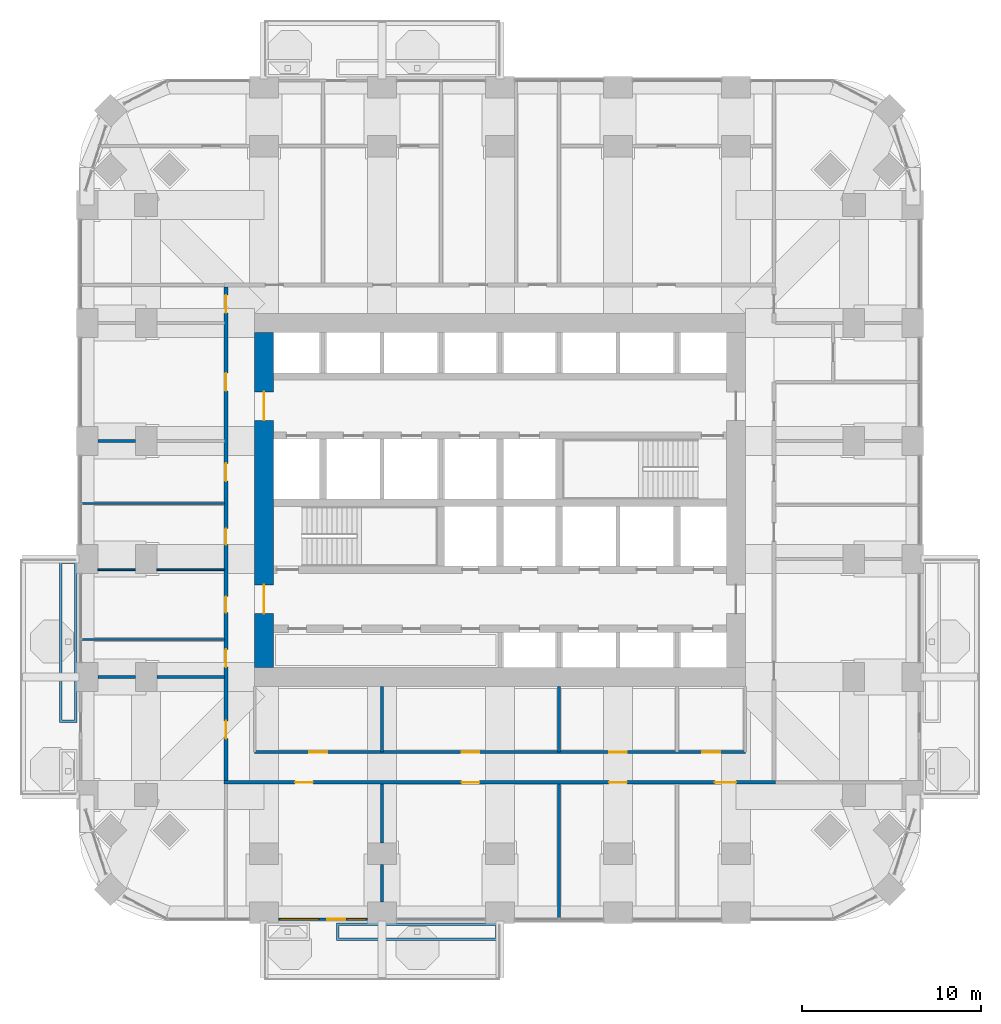
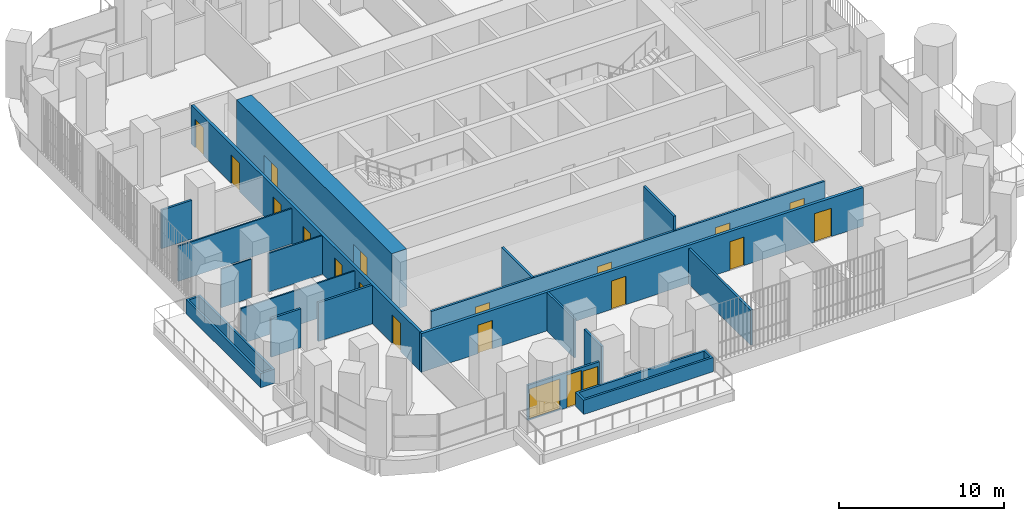
# One storey, part 13 of 21: 19 walls, 18 doors, 2 windows, 20 openings.
"""IFC4 building model written with IfcOpenShell, lengths in metres."""

from ifc_helpers import new_model, si_unit, direction, frame, frame_2d, origin, place, context, subcontext, project, spatial, polyline, rectangle, outline, extrude, material, layer, layer_set, type_object, element, fill, save


model = new_model("IFC4")

# Units and contexts
model_context = context("Model", 3, precision=1e-05, world=origin(), true_north=direction((0.0, 1.0)))
body_context = subcontext(model_context, "Body", "Model", "MODEL_VIEW")
ifc_project = project(units=[si_unit("LENGTHUNIT", "METRE"), si_unit("AREAUNIT", "SQUARE_METRE"), si_unit("VOLUMEUNIT", "CUBIC_METRE"), si_unit("PLANEANGLEUNIT", "RADIAN"), si_unit("MASSUNIT", "GRAM", prefix="KILO")], contexts=[model_context])

# Site, building, storey
site_placement = place(None, origin())
site = spatial("IfcSite", under=ifc_project, at=site_placement, CompositionType="ELEMENT")
building_placement = place(site_placement, origin())
building = spatial("IfcBuilding", under=site, at=building_placement, Name="Cobogo Forest Laboratory Tower", CompositionType="ELEMENT")
storey_placement = place(building_placement, frame((0.0, 0.0, 141.0)))
storey = spatial("IfcBuildingStorey", under=building, at=storey_placement, Name="L32", CompositionType="ELEMENT", Elevation=141.0)

# Wall, openings, doors
ifc_material_1 = material(Name="Concrete HA-50 (C50/60)", Category="concrete")
ifc_layer_1 = layer(ifc_material_1, 1.050048828125)
ifc_layer_set_1 = layer_set([ifc_layer_1], Name="CW1050 core outer wall 1050")
wall_type_1 = type_object("IfcWallType", Name="CW1050 core outer wall 1050", PredefinedType="SHEAR", material=ifc_layer_set_1)
wall_1_placement = place(storey_placement, frame((13.199951171875, 32.47509765625, 0.0), z_axis=(0.0, 0.0, 1.0), x_axis=(0.0, -1.0, 0.0)))
wall_1 = element("IfcWall", 1, at=wall_1_placement, inside=storey, type_object=wall_type_1, Name="Core wall CO-W L32", PredefinedType="SHEAR", context=body_context, shape_type="SweptSolid", body=[
    extrude(rectangle(XDim=18.75, YDim=1.050048828125, at=frame_2d((9.375, 0.0))), origin(), (0.0, 0.0, 1.0), 4.199951171875),
])
opening_1_placement = place(wall_1_placement, frame((14.125, 0.0, 0.0)))
opening_1 = element("IfcOpeningElement", 2, at=opening_1_placement, cuts=wall_1, Name="Opening L32-D20", PredefinedType="OPENING", context=body_context, shape_type="SweptSolid", body=[
    extrude(rectangle(XDim=1.60009765625, YDim=2.10009765625, at=frame_2d((0.800048828125, 1.050048828125))), frame((0.0, 0.534912109375, 0.0), z_axis=(0.0, -1.0, 0.0), x_axis=(1.0, 0.0, 0.0)), (0.0, 0.0, 1.0), 1.070068359375),
])
opening_2_placement = place(wall_1_placement, frame((3.324951171875, 0.0, 0.0)))
opening_2 = element("IfcOpeningElement", 3, at=opening_2_placement, cuts=wall_1, Name="Opening L32-D31", PredefinedType="OPENING", context=body_context, shape_type="SweptSolid", body=[
    extrude(rectangle(XDim=1.60009765625, YDim=2.10009765625, at=frame_2d((0.800048828125, 1.050048828125))), frame((0.0, 0.534912109375, 0.0), z_axis=(0.0, -1.0, 0.0), x_axis=(1.0, 0.0, 0.0)), (0.0, 0.0, 1.0), 1.070068359375),
])
ifc_material_2 = material(Name="Steel fire door", Category="steel")
door_type_1 = type_object("IfcDoorType", Name="DS2 protected lobby door pair 1600 EI2 60", OperationType="DOUBLE_DOOR_DOUBLE_SWING", PredefinedType="DOOR", material=ifc_material_2)
door_1_placement = place(opening_1_placement, origin())
door_1 = element("IfcDoor", 4, at=door_1_placement, inside=storey, type_object=door_type_1, Name="Door L32-CO-W-S", OperationType="DOUBLE_DOOR_DOUBLE_SWING", OverallHeight=2.10009765625, OverallWidth=1.60009765625, PredefinedType="DOOR", context=body_context, shape_type="SweptSolid", body=[
    extrude(rectangle(XDim=1.60009765625, YDim=2.10009765625, at=frame_2d((0.800048828125, 1.050048828125))), frame((0.0, 0.02490234375, 0.0), z_axis=(0.0, -1.0, 0.0), x_axis=(1.0, 0.0, 0.0)), (0.0, 0.0, 1.0), 0.050048828125),
])
fill(opening_1, door_1)
door_2_placement = place(opening_2_placement, origin())
door_2 = element("IfcDoor", 5, at=door_2_placement, inside=storey, type_object=door_type_1, Name="Door L32-CO-W-N", OperationType="DOUBLE_DOOR_DOUBLE_SWING", OverallHeight=2.10009765625, OverallWidth=1.60009765625, PredefinedType="DOOR", context=body_context, shape_type="SweptSolid", body=[
    extrude(rectangle(XDim=1.60009765625, YDim=2.10009765625, at=frame_2d((0.800048828125, 1.050048828125))), frame((0.0, 0.02490234375, 0.0), z_axis=(0.0, -1.0, 0.0), x_axis=(1.0, 0.0, 0.0)), (0.0, 0.0, 1.0), 0.050048828125),
])
fill(opening_2, door_2)

# Wall, openings, door, windows
ifc_material_3 = material(Name="Aluminium framed glazed screen", Category="aluminium")
ifc_layer_2 = layer(ifc_material_3, 0.14990234375)
ifc_layer_set_2 = layer_set([ifc_layer_2], Name="GS1 glazed door screen 150")
wall_type_2 = type_object("IfcWallType", Name="GS1 glazed door screen 150", PredefinedType="SOLIDWALL", material=ifc_layer_set_2)
wall_2_placement = place(storey_placement, frame((14.0, -0.35009765625, 0.0), z_axis=(0.0, 0.0, 1.0), x_axis=(1.0, 0.0, 0.0)))
wall_2 = element("IfcWall", 6, at=wall_2_placement, inside=storey, type_object=wall_type_2, Name="Door screen BAL-S1 L32", PredefinedType="SOLIDWALL", context=body_context, shape_type="SweptSolid", body=[
    extrude(rectangle(XDim=5.0, YDim=0.14990234375, at=frame_2d((2.5, 0.0))), origin(), (0.0, 0.0, 1.0), 2.60009765625),
])
opening_3_placement = place(wall_2_placement, frame((2.75, 0.0, 0.0)))
opening_3 = element("IfcOpeningElement", 7, at=opening_3_placement, cuts=wall_2, Name="Opening L32-D01", PredefinedType="OPENING", context=body_context, shape_type="SweptSolid", body=[
    extrude(rectangle(XDim=1.0, YDim=2.39990234375, at=frame_2d((0.5, 1.199951171875))), frame((0.0, 0.0849609375, 0.0), z_axis=(0.0, -1.0, 0.0), x_axis=(1.0, 0.0, 0.0)), (0.0, 0.0, 1.0), 0.169921875),
])
opening_4_placement = place(wall_2_placement, frame((0.10009765625, 0.0, 0.10009765625)))
opening_4 = element("IfcOpeningElement", 8, at=opening_4_placement, cuts=wall_2, Name="Opening L32-W01", PredefinedType="OPENING", context=body_context, shape_type="SweptSolid", body=[
    extrude(rectangle(XDim=2.14990234375, YDim=2.199951171875, at=frame_2d((1.074951171875, 1.10009765625))), frame((0.0, 0.0849609375, 0.0), z_axis=(0.0, -1.0, 0.0), x_axis=(1.0, 0.0, 0.0)), (0.0, 0.0, 1.0), 0.169921875),
])
opening_5_placement = place(wall_2_placement, frame((3.85009765625, 0.0, 0.10009765625)))
opening_5 = element("IfcOpeningElement", 9, at=opening_5_placement, cuts=wall_2, Name="Opening L32-W02", PredefinedType="OPENING", context=body_context, shape_type="SweptSolid", body=[
    extrude(rectangle(XDim=1.050048828125, YDim=2.199951171875, at=frame_2d((0.52490234375, 1.10009765625))), frame((0.0, 0.0849609375, 0.0), z_axis=(0.0, -1.0, 0.0), x_axis=(1.0, 0.0, 0.0)), (0.0, 0.0, 1.0), 0.169921875),
])
ifc_material_4 = material(Name="Aluminium glazed door", Category="aluminium")
door_type_2 = type_object("IfcDoorType", Name="DB1 balcony door 1000 glazed", OperationType="SINGLE_SWING_LEFT", PredefinedType="DOOR", material=ifc_material_4)
door_3_placement = place(opening_3_placement, origin())
door_3 = element("IfcDoor", 10, at=door_3_placement, inside=storey, type_object=door_type_2, Name="Door L32-BAL-S1", OperationType="SINGLE_SWING_RIGHT", OverallHeight=2.39990234375, OverallWidth=1.0, PredefinedType="DOOR", context=body_context, shape_type="SweptSolid", body=[
    extrude(rectangle(XDim=1.0, YDim=2.39990234375, at=frame_2d((0.5, 1.199951171875))), frame((0.0, 0.02490234375, 0.0), z_axis=(0.0, -1.0, 0.0), x_axis=(1.0, 0.0, 0.0)), (0.0, 0.0, 1.0), 0.050048828125),
])
fill(opening_3, door_3)
ifc_material_5 = material(Name="Aluminium framed glazing", Category="aluminium")
window_type_1 = type_object("IfcWindowType", Name="WG17 fixed glazed light 2150x2200", PartitioningType="SINGLE_PANEL", PredefinedType="WINDOW", material=ifc_material_5)
window_1_placement = place(opening_4_placement, origin())
window_1 = element("IfcWindow", 11, at=window_1_placement, inside=storey, type_object=window_type_1, Name="Window L32-BAL-S1-1", OverallHeight=2.199951171875, OverallWidth=2.14990234375, PartitioningType="SINGLE_PANEL", PredefinedType="WINDOW", context=body_context, shape_type="SweptSolid", body=[
    extrude(rectangle(XDim=2.14990234375, YDim=2.199951171875, at=frame_2d((1.074951171875, 1.10009765625))), frame((0.0, 0.030029296875, 0.0), z_axis=(0.0, -1.0, 0.0), x_axis=(1.0, 0.0, 0.0)), (0.0, 0.0, 1.0), 0.06005859375),
])
fill(opening_4, window_1)
window_type_2 = type_object("IfcWindowType", Name="WG18 fixed glazed light 1050x2200", PartitioningType="SINGLE_PANEL", PredefinedType="WINDOW", material=ifc_material_5)
window_2_placement = place(opening_5_placement, origin())
window_2 = element("IfcWindow", 12, at=window_2_placement, inside=storey, type_object=window_type_2, Name="Window L32-BAL-S1-2", OverallHeight=2.199951171875, OverallWidth=1.050048828125, PartitioningType="SINGLE_PANEL", PredefinedType="WINDOW", context=body_context, shape_type="SweptSolid", body=[
    extrude(rectangle(XDim=1.050048828125, YDim=2.199951171875, at=frame_2d((0.52490234375, 1.10009765625))), frame((0.0, 0.030029296875, 0.0), z_axis=(0.0, -1.0, 0.0), x_axis=(1.0, 0.0, 0.0)), (0.0, 0.0, 1.0), 0.06005859375),
])
fill(opening_5, window_2)

# Wall, openings, doors
ifc_material_6 = material(Name="Gypsum board on steel studs", Category="steel")
ifc_layer_3 = layer(ifc_material_6, 0.14990234375)
ifc_layer_set_3 = layer_set([ifc_layer_3], Name="PT1 laboratory partition 150")
wall_type_3 = type_object("IfcWallType", Name="PT1 laboratory partition 150", PredefinedType="PARTITIONING", material=ifc_layer_set_3)
wall_3_placement = place(storey_placement, frame((12.675048828125, 9.0, 0.0), z_axis=(0.0, 0.0, 1.0), x_axis=(1.0, 0.0, 0.0)))
wall_3 = element("IfcWall", 13, at=wall_3_placement, inside=storey, type_object=wall_type_3, Name="Partition CSTRIP-S L32", PredefinedType="PARTITIONING", context=body_context, shape_type="SweptSolid", body=[
    extrude(rectangle(XDim=27.449951171875, YDim=0.14990234375, at=frame_2d((13.72509765625, 0.0))), origin(), (0.0, 0.0, 1.0), 2.85009765625),
])
opening_6_placement = place(wall_3_placement, frame((3.0625, 0.0, 0.0)))
opening_6 = element("IfcOpeningElement", 14, at=opening_6_placement, cuts=wall_3, Name="Opening L32-D06", PredefinedType="OPENING", context=body_context, shape_type="SweptSolid", body=[
    extrude(rectangle(XDim=1.0, YDim=2.10009765625, at=frame_2d((0.5, 1.050048828125))), frame((0.0, 0.0849609375, 0.0), z_axis=(0.0, -1.0, 0.0), x_axis=(1.0, 0.0, 0.0)), (0.0, 0.0, 1.0), 0.169921875),
])
opening_7_placement = place(wall_3_placement, frame((11.574951171875, 0.0, 0.0)))
opening_7 = element("IfcOpeningElement", 15, at=opening_7_placement, cuts=wall_3, Name="Opening L32-D07", PredefinedType="OPENING", context=body_context, shape_type="SweptSolid", body=[
    extrude(rectangle(XDim=1.0, YDim=2.10009765625, at=frame_2d((0.5, 1.050048828125))), frame((0.0, 0.0849609375, 0.0), z_axis=(0.0, -1.0, 0.0), x_axis=(1.0, 0.0, 0.0)), (0.0, 0.0, 1.0), 0.169921875),
])
opening_8_placement = place(wall_3_placement, frame((19.824951171875, 0.0, 0.0)))
opening_8 = element("IfcOpeningElement", 16, at=opening_8_placement, cuts=wall_3, Name="Opening L32-D08", PredefinedType="OPENING", context=body_context, shape_type="SweptSolid", body=[
    extrude(rectangle(XDim=1.0, YDim=2.10009765625, at=frame_2d((0.5, 1.050048828125))), frame((0.0, 0.0849609375, 0.0), z_axis=(0.0, -1.0, 0.0), x_axis=(1.0, 0.0, 0.0)), (0.0, 0.0, 1.0), 0.169921875),
])
opening_9_placement = place(wall_3_placement, frame((25.03759765625, 0.0, 0.0)))
opening_9 = element("IfcOpeningElement", 17, at=opening_9_placement, cuts=wall_3, Name="Opening L32-D09", PredefinedType="OPENING", context=body_context, shape_type="SweptSolid", body=[
    extrude(rectangle(XDim=1.0, YDim=2.10009765625, at=frame_2d((0.5, 1.050048828125))), frame((0.0, 0.0849609375, 0.0), z_axis=(0.0, -1.0, 0.0), x_axis=(1.0, 0.0, 0.0)), (0.0, 0.0, 1.0), 0.169921875),
])
ifc_material_7 = material(Name="Timber fire door", Category="wood")
door_type_3 = type_object("IfcDoorType", Name="FD2 fire door 1000 EI2 30", OperationType="SINGLE_SWING_LEFT", PredefinedType="DOOR", material=ifc_material_7)
door_4_placement = place(opening_6_placement, origin())
door_4 = element("IfcDoor", 18, at=door_4_placement, inside=storey, type_object=door_type_3, Name="Door L32-CSS1", OperationType="SINGLE_SWING_LEFT", OverallHeight=2.10009765625, OverallWidth=1.0, PredefinedType="DOOR", context=body_context, shape_type="SweptSolid", body=[
    extrude(rectangle(XDim=1.0, YDim=2.10009765625, at=frame_2d((0.5, 1.050048828125))), frame((0.0, 0.02490234375, 0.0), z_axis=(0.0, -1.0, 0.0), x_axis=(1.0, 0.0, 0.0)), (0.0, 0.0, 1.0), 0.050048828125),
])
fill(opening_6, door_4)
door_5_placement = place(opening_7_placement, origin())
door_5 = element("IfcDoor", 19, at=door_5_placement, inside=storey, type_object=door_type_3, Name="Door L32-CSS2", OperationType="SINGLE_SWING_LEFT", OverallHeight=2.10009765625, OverallWidth=1.0, PredefinedType="DOOR", context=body_context, shape_type="SweptSolid", body=[
    extrude(rectangle(XDim=1.0, YDim=2.10009765625, at=frame_2d((0.5, 1.050048828125))), frame((0.0, 0.02490234375, 0.0), z_axis=(0.0, -1.0, 0.0), x_axis=(1.0, 0.0, 0.0)), (0.0, 0.0, 1.0), 0.050048828125),
])
fill(opening_7, door_5)
door_6_placement = place(opening_8_placement, origin())
door_6 = element("IfcDoor", 20, at=door_6_placement, inside=storey, type_object=door_type_3, Name="Door L32-CSS3", OperationType="SINGLE_SWING_RIGHT", OverallHeight=2.10009765625, OverallWidth=1.0, PredefinedType="DOOR", context=body_context, shape_type="SweptSolid", body=[
    extrude(rectangle(XDim=1.0, YDim=2.10009765625, at=frame_2d((0.5, 1.050048828125))), frame((0.0, 0.02490234375, 0.0), z_axis=(0.0, -1.0, 0.0), x_axis=(1.0, 0.0, 0.0)), (0.0, 0.0, 1.0), 0.050048828125),
])
fill(opening_8, door_6)
door_7_placement = place(opening_9_placement, origin())
door_7 = element("IfcDoor", 21, at=door_7_placement, inside=storey, type_object=door_type_3, Name="Door L32-CSS4", OperationType="SINGLE_SWING_RIGHT", OverallHeight=2.10009765625, OverallWidth=1.0, PredefinedType="DOOR", context=body_context, shape_type="SweptSolid", body=[
    extrude(rectangle(XDim=1.0, YDim=2.10009765625, at=frame_2d((0.5, 1.050048828125))), frame((0.0, 0.02490234375, 0.0), z_axis=(0.0, -1.0, 0.0), x_axis=(1.0, 0.0, 0.0)), (0.0, 0.0, 1.0), 0.050048828125),
])
fill(opening_9, door_7)

# Walls
wall_4_placement = place(storey_placement, frame((19.800048828125, 12.675048828125, 0.0), z_axis=(0.0, 0.0, 1.0), x_axis=(0.0, -1.0, 0.0)))
element("IfcWall", 22, at=wall_4_placement, inside=storey, type_object=wall_type_3, Name="Partition CSTRIP-S19.8 L32", PredefinedType="PARTITIONING", context=body_context, shape_type="SweptSolid", body=[
    extrude(rectangle(XDim=3.675048828125, YDim=0.14990234375, at=frame_2d((1.83740234375, 0.0))), origin(), (0.0, 0.0, 1.0), 2.85009765625),
])
wall_5_placement = place(storey_placement, frame((29.699951171875, 12.675048828125, 0.0), z_axis=(0.0, 0.0, 1.0), x_axis=(0.0, -1.0, 0.0)))
element("IfcWall", 23, at=wall_5_placement, inside=storey, type_object=wall_type_3, Name="Partition CSTRIP-S29.7 L32", PredefinedType="PARTITIONING", context=body_context, shape_type="SweptSolid", body=[
    extrude(rectangle(XDim=3.675048828125, YDim=0.14990234375, at=frame_2d((1.83740234375, 0.0))), origin(), (0.0, 0.0, 1.0), 3.89990234375),
])
wall_6_placement = place(storey_placement, frame((19.800048828125, 0.60009765625, 0.0), z_axis=(0.0, 0.0, 1.0), x_axis=(0.0, 1.0, 0.0)))
element("IfcWall", 24, at=wall_6_placement, inside=storey, type_object=wall_type_3, Name="Partition CUT-S19.8-1 L32", PredefinedType="PARTITIONING", context=body_context, shape_type="SweptSolid", body=[
    extrude(rectangle(XDim=2.099853515625, YDim=0.14990234375, at=frame_2d((1.0498046875, 0.0))), origin(), (0.0, 0.0, 1.0), 2.85009765625),
])
wall_7_placement = place(storey_placement, frame((19.800048828125, 3.89990234375, 0.0), z_axis=(0.0, 0.0, 1.0), x_axis=(0.0, 1.0, 0.0)))
element("IfcWall", 25, at=wall_7_placement, inside=storey, type_object=wall_type_3, Name="Partition CUT-S19.8-2 L32", PredefinedType="PARTITIONING", context=body_context, shape_type="SweptSolid", body=[
    extrude(rectangle(XDim=3.300048828125, YDim=0.14990234375, at=frame_2d((1.64990234375, 0.0))), origin(), (0.0, 0.0, 1.0), 2.85009765625),
])
wall_8_placement = place(storey_placement, frame((29.699951171875, -0.27001953125, 0.0), z_axis=(0.0, 0.0, 1.0), x_axis=(0.0, 1.0, 0.0)))
element("IfcWall", 26, at=wall_8_placement, inside=storey, type_object=wall_type_3, Name="Partition CUT-S29.7-1 L32", PredefinedType="PARTITIONING", context=body_context, shape_type="SweptSolid", body=[
    extrude(rectangle(XDim=7.469970703125, YDim=0.14990234375, at=frame_2d((3.73486328125, 0.0))), origin(), (0.0, 0.0, 1.0), 2.60009765625),
])
wall_9_placement = place(storey_placement, frame((3.89990234375, 13.199951171875, 0.0), z_axis=(0.0, 0.0, 1.0), x_axis=(1.0, 0.0, 0.0)))
element("IfcWall", 27, at=wall_9_placement, inside=storey, type_object=wall_type_3, Name="Partition CUT-W13.2-1 L32", PredefinedType="PARTITIONING", context=body_context, shape_type="SweptSolid", body=[
    extrude(rectangle(XDim=2.10009765625, YDim=0.14990234375, at=frame_2d((1.050048828125, 0.0))), origin(), (0.0, 0.0, 1.0), 2.85009765625),
])
wall_10_placement = place(storey_placement, frame((7.199951171875, 13.199951171875, 0.0), z_axis=(0.0, 0.0, 1.0), x_axis=(1.0, 0.0, 0.0)))
element("IfcWall", 28, at=wall_10_placement, inside=storey, type_object=wall_type_3, Name="Partition CUT-W13.2-2 L32", PredefinedType="PARTITIONING", context=body_context, shape_type="SweptSolid", body=[
    extrude(rectangle(XDim=3.775146484375, YDim=0.14990234375, at=frame_2d((1.8876953125, 0.0))), origin(), (0.0, 0.0, 1.0), 2.85009765625),
])
wall_11_placement = place(storey_placement, frame((3.89990234375, 26.39990234375, 0.0), z_axis=(0.0, 0.0, 1.0), x_axis=(1.0, 0.0, 0.0)))
element("IfcWall", 29, at=wall_11_placement, inside=storey, type_object=wall_type_3, Name="Partition CUT-W26.4-1 L32", PredefinedType="PARTITIONING", context=body_context, shape_type="SweptSolid", body=[
    extrude(rectangle(XDim=2.10009765625, YDim=0.14990234375, at=frame_2d((1.050048828125, 0.0))), origin(), (0.0, 0.0, 1.0), 2.85009765625),
])

# Wall, openings, doors
ifc_layer_4 = layer(ifc_material_6, 0.199951171875)
ifc_layer_set_4 = layer_set([ifc_layer_4], Name="PT2 fire-rated corridor partition 200")
wall_type_4 = type_object("IfcWallType", Name="PT2 fire-rated corridor partition 200", PredefinedType="PARTITIONING", material=ifc_layer_set_4)
wall_12_placement = place(storey_placement, frame((10.97509765625, 7.300048828125, 0.0), z_axis=(0.0, 0.0, 1.0), x_axis=(1.0, 0.0, 0.0)))
wall_12 = element("IfcWall", 30, at=wall_12_placement, inside=storey, type_object=wall_type_4, Name="Partition CORR-S L32", PredefinedType="PARTITIONING", context=body_context, shape_type="SweptSolid", body=[
    extrude(rectangle(XDim=30.849853515625, YDim=0.199951171875, at=frame_2d((15.4248046875, 0.0))), origin(), (0.0, 0.0, 1.0), 2.85009765625),
])
opening_10_placement = place(wall_12_placement, frame((3.96240234375, 0.0, 0.0)))
opening_10 = element("IfcOpeningElement", 31, at=opening_10_placement, cuts=wall_12, Name="Opening L32-D02", PredefinedType="OPENING", context=body_context, shape_type="SweptSolid", body=[
    extrude(rectangle(XDim=1.0, YDim=2.10009765625, at=frame_2d((0.5, 1.050048828125))), frame((0.0, 0.10986328125, 0.0), z_axis=(0.0, -1.0, 0.0), x_axis=(1.0, 0.0, 0.0)), (0.0, 0.0, 1.0), 0.219970703125),
])
opening_11_placement = place(wall_12_placement, frame((13.27490234375, 0.0, 0.0)))
opening_11 = element("IfcOpeningElement", 32, at=opening_11_placement, cuts=wall_12, Name="Opening L32-D03", PredefinedType="OPENING", context=body_context, shape_type="SweptSolid", body=[
    extrude(rectangle(XDim=1.0, YDim=2.10009765625, at=frame_2d((0.5, 1.050048828125))), frame((0.0, 0.10986328125, 0.0), z_axis=(0.0, -1.0, 0.0), x_axis=(1.0, 0.0, 0.0)), (0.0, 0.0, 1.0), 0.219970703125),
])
opening_12_placement = place(wall_12_placement, frame((21.52490234375, 0.0, 0.0)))
opening_12 = element("IfcOpeningElement", 33, at=opening_12_placement, cuts=wall_12, Name="Opening L32-D04", PredefinedType="OPENING", context=body_context, shape_type="SweptSolid", body=[
    extrude(rectangle(XDim=1.0, YDim=2.10009765625, at=frame_2d((0.5, 1.050048828125))), frame((0.0, 0.10986328125, 0.0), z_axis=(0.0, -1.0, 0.0), x_axis=(1.0, 0.0, 0.0)), (0.0, 0.0, 1.0), 0.219970703125),
])
opening_13_placement = place(wall_12_placement, frame((27.4375, 0.0, 0.0)))
opening_13 = element("IfcOpeningElement", 34, at=opening_13_placement, cuts=wall_12, Name="Opening L32-D05", PredefinedType="OPENING", context=body_context, shape_type="SweptSolid", body=[
    extrude(rectangle(XDim=1.199951171875, YDim=2.10009765625, at=frame_2d((0.60009765625, 1.050048828125))), frame((0.0, 0.10986328125, 0.0), z_axis=(0.0, -1.0, 0.0), x_axis=(1.0, 0.0, 0.0)), (0.0, 0.0, 1.0), 0.219970703125),
])
ifc_material_8 = material(Name="Timber door", Category="wood")
door_type_4 = type_object("IfcDoorType", Name="D2 laboratory door 1200 unequal pair", OperationType="DOUBLE_DOOR_SINGLE_SWING", PredefinedType="DOOR", material=ifc_material_8)
door_8_placement = place(opening_13_placement, origin())
door_8 = element("IfcDoor", 35, at=door_8_placement, inside=storey, type_object=door_type_4, Name="Door L32-S4", OperationType="DOUBLE_DOOR_SINGLE_SWING", OverallHeight=2.10009765625, OverallWidth=1.199951171875, PredefinedType="DOOR", context=body_context, shape_type="SweptSolid", body=[
    extrude(rectangle(XDim=1.199951171875, YDim=2.10009765625, at=frame_2d((0.60009765625, 1.050048828125))), frame((0.0, 0.02490234375, 0.0), z_axis=(0.0, -1.0, 0.0), x_axis=(1.0, 0.0, 0.0)), (0.0, 0.0, 1.0), 0.050048828125),
])
fill(opening_13, door_8)
door_type_5 = type_object("IfcDoorType", Name="FD1 fire door 1000 EI2 60", OperationType="SINGLE_SWING_LEFT", PredefinedType="DOOR", material=ifc_material_2)
door_9_placement = place(opening_10_placement, origin())
door_9 = element("IfcDoor", 36, at=door_9_placement, inside=storey, type_object=door_type_5, Name="Door L32-S1", OperationType="SINGLE_SWING_LEFT", OverallHeight=2.10009765625, OverallWidth=1.0, PredefinedType="DOOR", context=body_context, shape_type="SweptSolid", body=[
    extrude(rectangle(XDim=1.0, YDim=2.10009765625, at=frame_2d((0.5, 1.050048828125))), frame((0.0, 0.02490234375, 0.0), z_axis=(0.0, -1.0, 0.0), x_axis=(1.0, 0.0, 0.0)), (0.0, 0.0, 1.0), 0.050048828125),
])
fill(opening_10, door_9)
door_10_placement = place(opening_11_placement, origin())
door_10 = element("IfcDoor", 37, at=door_10_placement, inside=storey, type_object=door_type_3, Name="Door L32-S2", OperationType="SINGLE_SWING_LEFT", OverallHeight=2.10009765625, OverallWidth=1.0, PredefinedType="DOOR", context=body_context, shape_type="SweptSolid", body=[
    extrude(rectangle(XDim=1.0, YDim=2.10009765625, at=frame_2d((0.5, 1.050048828125))), frame((0.0, 0.02490234375, 0.0), z_axis=(0.0, -1.0, 0.0), x_axis=(1.0, 0.0, 0.0)), (0.0, 0.0, 1.0), 0.050048828125),
])
fill(opening_11, door_10)
door_11_placement = place(opening_12_placement, origin())
door_11 = element("IfcDoor", 38, at=door_11_placement, inside=storey, type_object=door_type_3, Name="Door L32-S3", OperationType="SINGLE_SWING_RIGHT", OverallHeight=2.10009765625, OverallWidth=1.0, PredefinedType="DOOR", context=body_context, shape_type="SweptSolid", body=[
    extrude(rectangle(XDim=1.0, YDim=2.10009765625, at=frame_2d((0.5, 1.050048828125))), frame((0.0, 0.02490234375, 0.0), z_axis=(0.0, -1.0, 0.0), x_axis=(1.0, 0.0, 0.0)), (0.0, 0.0, 1.0), 0.050048828125),
])
fill(opening_12, door_11)

wall_13_placement = place(storey_placement, frame((11.074951171875, 7.39990234375, 0.0), z_axis=(0.0, 0.0, 1.0), x_axis=(0.0, 1.0, 0.0)))
wall_13 = element("IfcWall", 39, at=wall_13_placement, inside=storey, type_object=wall_type_4, Name="Partition CORR-W L32", PredefinedType="PARTITIONING", context=body_context, shape_type="SweptSolid", body=[
    extrude(rectangle(XDim=27.625, YDim=0.199951171875, at=frame_2d((13.8125, 0.0))), origin(), (0.0, 0.0, 1.0), 2.85009765625),
])
opening_14_placement = place(wall_13_placement, frame((2.35009765625, 0.0, 0.0)))
opening_14 = element("IfcOpeningElement", 40, at=opening_14_placement, cuts=wall_13, Name="Opening L32-D10", PredefinedType="OPENING", context=body_context, shape_type="SweptSolid", body=[
    extrude(rectangle(XDim=1.0, YDim=2.10009765625, at=frame_2d((0.5, 1.050048828125))), frame((0.0, 0.10986328125, 0.0), z_axis=(0.0, -1.0, 0.0), x_axis=(1.0, 0.0, 0.0)), (0.0, 0.0, 1.0), 0.219970703125),
])
opening_15_placement = place(wall_13_placement, frame((6.35009765625, 0.0, 0.0)))
opening_15 = element("IfcOpeningElement", 41, at=opening_15_placement, cuts=wall_13, Name="Opening L32-D14", PredefinedType="OPENING", context=body_context, shape_type="SweptSolid", body=[
    extrude(rectangle(XDim=1.0, YDim=2.10009765625, at=frame_2d((0.5, 1.050048828125))), frame((0.0, 0.10986328125, 0.0), z_axis=(0.0, -1.0, 0.0), x_axis=(1.0, 0.0, 0.0)), (0.0, 0.0, 1.0), 0.219970703125),
])
opening_16_placement = place(wall_13_placement, frame((9.39990234375, 0.0, 0.0)))
opening_16 = element("IfcOpeningElement", 42, at=opening_16_placement, cuts=wall_13, Name="Opening L32-D19", PredefinedType="OPENING", context=body_context, shape_type="SweptSolid", body=[
    extrude(rectangle(XDim=0.89990234375, YDim=2.10009765625, at=frame_2d((0.449951171875, 1.050048828125))), frame((0.0, 0.10986328125, 0.0), z_axis=(0.0, -1.0, 0.0), x_axis=(1.0, 0.0, 0.0)), (0.0, 0.0, 1.0), 0.219970703125),
])
opening_17_placement = place(wall_13_placement, frame((13.199951171875, 0.0, 0.0)))
opening_17 = element("IfcOpeningElement", 43, at=opening_17_placement, cuts=wall_13, Name="Opening L32-D25", PredefinedType="OPENING", context=body_context, shape_type="SweptSolid", body=[
    extrude(rectangle(XDim=0.89990234375, YDim=2.10009765625, at=frame_2d((0.449951171875, 1.050048828125))), frame((0.0, 0.10986328125, 0.0), z_axis=(0.0, -1.0, 0.0), x_axis=(1.0, 0.0, 0.0)), (0.0, 0.0, 1.0), 0.219970703125),
])
opening_18_placement = place(wall_13_placement, frame((16.75, 0.0, 0.0)))
opening_18 = element("IfcOpeningElement", 44, at=opening_18_placement, cuts=wall_13, Name="Opening L32-D28", PredefinedType="OPENING", context=body_context, shape_type="SweptSolid", body=[
    extrude(rectangle(XDim=1.0, YDim=2.10009765625, at=frame_2d((0.5, 1.050048828125))), frame((0.0, 0.10986328125, 0.0), z_axis=(0.0, -1.0, 0.0), x_axis=(1.0, 0.0, 0.0)), (0.0, 0.0, 1.0), 0.219970703125),
])
opening_19_placement = place(wall_13_placement, frame((21.800048828125, 0.0, 0.0)))
opening_19 = element("IfcOpeningElement", 45, at=opening_19_placement, cuts=wall_13, Name="Opening L32-D33", PredefinedType="OPENING", context=body_context, shape_type="SweptSolid", body=[
    extrude(rectangle(XDim=1.0, YDim=2.10009765625, at=frame_2d((0.5, 1.050048828125))), frame((0.0, 0.10986328125, 0.0), z_axis=(0.0, -1.0, 0.0), x_axis=(1.0, 0.0, 0.0)), (0.0, 0.0, 1.0), 0.219970703125),
])
opening_20_placement = place(wall_13_placement, frame((26.16259765625, 0.0, 0.0)))
opening_20 = element("IfcOpeningElement", 46, at=opening_20_placement, cuts=wall_13, Name="Opening L32-D35", PredefinedType="OPENING", context=body_context, shape_type="SweptSolid", body=[
    extrude(rectangle(XDim=1.0, YDim=2.10009765625, at=frame_2d((0.5, 1.050048828125))), frame((0.0, 0.10986328125, 0.0), z_axis=(0.0, -1.0, 0.0), x_axis=(1.0, 0.0, 0.0)), (0.0, 0.0, 1.0), 0.219970703125),
])
door_12_placement = place(opening_14_placement, origin())
door_12 = element("IfcDoor", 47, at=door_12_placement, inside=storey, type_object=door_type_3, Name="Door L32-W1", OperationType="SINGLE_SWING_LEFT", OverallHeight=2.10009765625, OverallWidth=1.0, PredefinedType="DOOR", context=body_context, shape_type="SweptSolid", body=[
    extrude(rectangle(XDim=1.0, YDim=2.10009765625, at=frame_2d((0.5, 1.050048828125))), frame((0.0, 0.02490234375, 0.0), z_axis=(0.0, -1.0, 0.0), x_axis=(1.0, 0.0, 0.0)), (0.0, 0.0, 1.0), 0.050048828125),
])
fill(opening_14, door_12)
door_13_placement = place(opening_18_placement, origin())
door_13 = element("IfcDoor", 48, at=door_13_placement, inside=storey, type_object=door_type_3, Name="Door L32-SHW", OperationType="SINGLE_SWING_RIGHT", OverallHeight=2.10009765625, OverallWidth=1.0, PredefinedType="DOOR", context=body_context, shape_type="SweptSolid", body=[
    extrude(rectangle(XDim=1.0, YDim=2.10009765625, at=frame_2d((0.5, 1.050048828125))), frame((0.0, 0.02490234375, 0.0), z_axis=(0.0, -1.0, 0.0), x_axis=(1.0, 0.0, 0.0)), (0.0, 0.0, 1.0), 0.050048828125),
])
fill(opening_18, door_13)
door_14_placement = place(opening_19_placement, origin())
door_14 = element("IfcDoor", 49, at=door_14_placement, inside=storey, type_object=door_type_3, Name="Door L32-W3", OperationType="SINGLE_SWING_RIGHT", OverallHeight=2.10009765625, OverallWidth=1.0, PredefinedType="DOOR", context=body_context, shape_type="SweptSolid", body=[
    extrude(rectangle(XDim=1.0, YDim=2.10009765625, at=frame_2d((0.5, 1.050048828125))), frame((0.0, 0.02490234375, 0.0), z_axis=(0.0, -1.0, 0.0), x_axis=(1.0, 0.0, 0.0)), (0.0, 0.0, 1.0), 0.050048828125),
])
fill(opening_19, door_14)
door_15_placement = place(opening_20_placement, origin())
door_15 = element("IfcDoor", 50, at=door_15_placement, inside=storey, type_object=door_type_3, Name="Door L32-W4", OperationType="SINGLE_SWING_RIGHT", OverallHeight=2.10009765625, OverallWidth=1.0, PredefinedType="DOOR", context=body_context, shape_type="SweptSolid", body=[
    extrude(rectangle(XDim=1.0, YDim=2.10009765625, at=frame_2d((0.5, 1.050048828125))), frame((0.0, 0.02490234375, 0.0), z_axis=(0.0, -1.0, 0.0), x_axis=(1.0, 0.0, 0.0)), (0.0, 0.0, 1.0), 0.050048828125),
])
fill(opening_20, door_15)
door_type_6 = type_object("IfcDoorType", Name="FD3 toilet fire door 900 EI2 30", OperationType="SINGLE_SWING_LEFT", PredefinedType="DOOR", material=ifc_material_7)
door_16_placement = place(opening_16_placement, origin())
door_16 = element("IfcDoor", 51, at=door_16_placement, inside=storey, type_object=door_type_6, Name="Door L32-WCF", OperationType="SINGLE_SWING_LEFT", OverallHeight=2.10009765625, OverallWidth=0.89990234375, PredefinedType="DOOR", context=body_context, shape_type="SweptSolid", body=[
    extrude(rectangle(XDim=0.89990234375, YDim=2.10009765625, at=frame_2d((0.449951171875, 1.050048828125))), frame((0.0, 0.02490234375, 0.0), z_axis=(0.0, -1.0, 0.0), x_axis=(1.0, 0.0, 0.0)), (0.0, 0.0, 1.0), 0.050048828125),
])
fill(opening_16, door_16)
door_17_placement = place(opening_17_placement, origin())
door_17 = element("IfcDoor", 52, at=door_17_placement, inside=storey, type_object=door_type_6, Name="Door L32-WCM", OperationType="SINGLE_SWING_LEFT", OverallHeight=2.10009765625, OverallWidth=0.89990234375, PredefinedType="DOOR", context=body_context, shape_type="SweptSolid", body=[
    extrude(rectangle(XDim=0.89990234375, YDim=2.10009765625, at=frame_2d((0.449951171875, 1.050048828125))), frame((0.0, 0.02490234375, 0.0), z_axis=(0.0, -1.0, 0.0), x_axis=(1.0, 0.0, 0.0)), (0.0, 0.0, 1.0), 0.050048828125),
])
fill(opening_17, door_17)
door_type_7 = type_object("IfcDoorType", Name="FDA1 accessible toilet fire door 1000 EI2 30", OperationType="SINGLE_SWING_RIGHT", PredefinedType="DOOR", material=ifc_material_7)
door_18_placement = place(opening_15_placement, origin())
door_18 = element("IfcDoor", 53, at=door_18_placement, inside=storey, type_object=door_type_7, Name="Door L32-WCA", OperationType="SINGLE_SWING_LEFT", OverallHeight=2.10009765625, OverallWidth=1.0, PredefinedType="DOOR", context=body_context, shape_type="SweptSolid", body=[
    extrude(rectangle(XDim=1.0, YDim=2.10009765625, at=frame_2d((0.5, 1.050048828125))), frame((0.0, 0.02490234375, 0.0), z_axis=(0.0, -1.0, 0.0), x_axis=(1.0, 0.0, 0.0)), (0.0, 0.0, 1.0), 0.050048828125),
])
fill(opening_15, door_18)

# Walls
ifc_layer_5 = layer(ifc_material_6, 0.10009765625)
ifc_layer_set_5 = layer_set([ifc_layer_5], Name="PT3 toilet partition 100")
wall_type_5 = type_object("IfcWallType", Name="PT3 toilet partition 100", PredefinedType="PARTITIONING", material=ifc_layer_set_5)
wall_14_placement = place(storey_placement, frame((3.030029296875, 15.300048828125, 0.0), z_axis=(0.0, 0.0, 1.0), x_axis=(1.0, 0.0, 0.0)))
element("IfcWall", 54, at=wall_14_placement, inside=storey, type_object=wall_type_5, Name="Partition SVC-W1-1 L32", PredefinedType="PARTITIONING", context=body_context, shape_type="SweptSolid", body=[
    extrude(rectangle(XDim=7.945068359375, YDim=0.10009765625, at=frame_2d((3.97265625, 0.0))), origin(), (0.0, 0.0, 1.0), 2.60009765625),
])
wall_15_placement = place(storey_placement, frame((3.89990234375, 19.199951171875, 0.0), z_axis=(0.0, 0.0, 1.0), x_axis=(1.0, 0.0, 0.0)))
element("IfcWall", 55, at=wall_15_placement, inside=storey, type_object=wall_type_5, Name="Partition SVC-W2-1 L32", PredefinedType="PARTITIONING", context=body_context, shape_type="SweptSolid", body=[
    extrude(rectangle(XDim=2.10009765625, YDim=0.10009765625, at=frame_2d((1.050048828125, 0.0))), origin(), (0.0, 0.0, 1.0), 2.85009765625),
])
wall_16_placement = place(storey_placement, frame((7.199951171875, 19.199951171875, 0.0), z_axis=(0.0, 0.0, 1.0), x_axis=(1.0, 0.0, 0.0)))
element("IfcWall", 56, at=wall_16_placement, inside=storey, type_object=wall_type_5, Name="Partition SVC-W2-2 L32", PredefinedType="PARTITIONING", context=body_context, shape_type="SweptSolid", body=[
    extrude(rectangle(XDim=3.775146484375, YDim=0.10009765625, at=frame_2d((1.8876953125, 0.0))), origin(), (0.0, 0.0, 1.0), 2.85009765625),
])
wall_17_placement = place(storey_placement, frame((3.030029296875, 22.89990234375, 0.0), z_axis=(0.0, 0.0, 1.0), x_axis=(1.0, 0.0, 0.0)))
element("IfcWall", 57, at=wall_17_placement, inside=storey, type_object=wall_type_5, Name="Partition SVC-W3-1 L32", PredefinedType="PARTITIONING", context=body_context, shape_type="SweptSolid", body=[
    extrude(rectangle(XDim=7.945068359375, YDim=0.10009765625, at=frame_2d((3.97265625, 0.0))), origin(), (0.0, 0.0, 1.0), 2.60009765625),
])
ifc_material_9 = material(Name="Concrete HA-40 (C40/50)", Category="concrete")
ifc_layer_6 = layer(ifc_material_9, 0.14990234375)
ifc_layer_set_6 = layer_set([ifc_layer_6], Name="Planter box 1000x1050")
wall_type_6 = type_object("IfcWallType", Name="Planter box 1000x1050", PredefinedType="USERDEFINED", material=ifc_layer_set_6)
wall_18_placement = place(storey_placement, origin())
element("IfcWall", 58, at=wall_18_placement, inside=storey, type_object=wall_type_6, Name="Planter BAL-S1-2 L32", ObjectType="PLANTER", PredefinedType="USERDEFINED", context=body_context, shape_type="SweptSolid", body=[
    extrude(outline(polyline([(17.25, -1.550048828125), (26.300048828125, -1.550048828125), (26.300048828125, -0.550048828125), (17.25, -0.550048828125), (17.25, -1.550048828125)]), holes=[polyline([(17.39990234375, -1.39990234375), (26.14990234375, -1.39990234375), (26.14990234375, -0.699951171875), (17.39990234375, -0.699951171875), (17.39990234375, -1.39990234375)])]), origin(), (0.0, 0.0, 1.0), 1.050048828125),
])
wall_19_placement = place(storey_placement, origin())
element("IfcWall", 59, at=wall_19_placement, inside=storey, type_object=wall_type_6, Name="Planter BAL-W1-2 L32", ObjectType="PLANTER", PredefinedType="USERDEFINED", context=body_context, shape_type="SweptSolid", body=[
    extrude(outline(polyline([(1.75, 10.64990234375), (2.75, 10.64990234375), (2.75, 19.699951171875), (1.75, 19.699951171875), (1.75, 10.64990234375)]), holes=[polyline([(1.89990234375, 10.800048828125), (2.60009765625, 10.800048828125), (2.60009765625, 19.550048828125), (1.89990234375, 19.550048828125), (1.89990234375, 10.800048828125)])]), origin(), (0.0, 0.0, 1.0), 1.050048828125),
])

save(model, "model.ifc")
